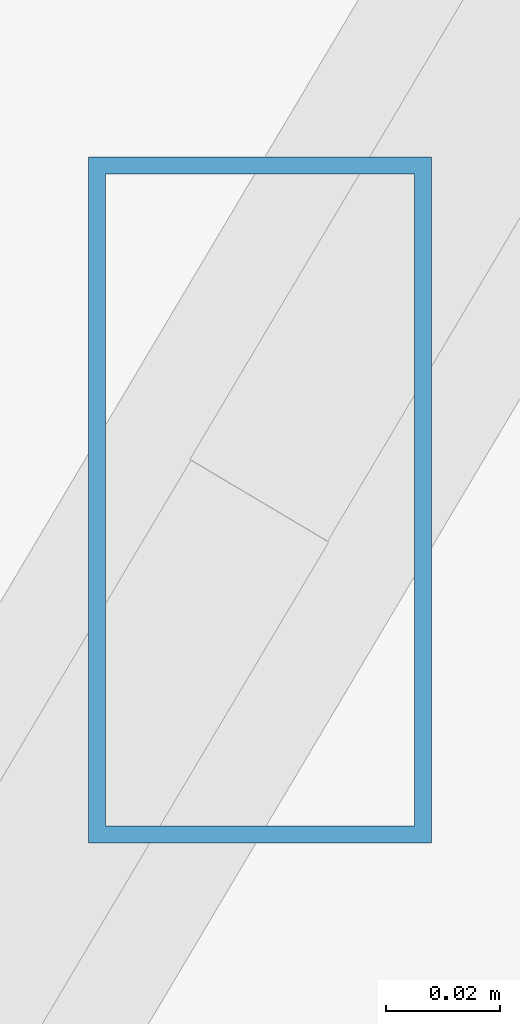
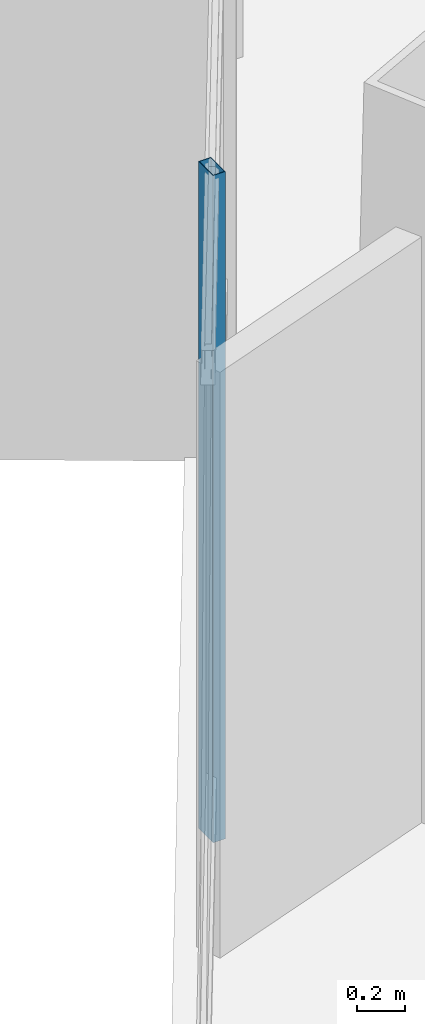
# One storey, part 7 of 45: 1 member, 1 element without a shape of its own.
"""IFC4 building model written with IfcOpenShell, lengths in metres."""

from ifc_helpers import new_model, si_unit, direction, frame, origin, origin_2d, place, context, subcontext, project, spatial, hollow_rectangle, extrude, source, transform, mapped, material, material_profile, profile_set, type_object, type_shapes, element, aggregate, save


model = new_model("IFC4")

# Units and contexts
model_context = context("Model", 3, precision=1e-05, world=origin(), true_north=direction((0.0, 1.0)))
body_context = subcontext(model_context, "Body", "Model", "MODEL_VIEW")
ifc_project = project(units=[si_unit("LENGTHUNIT", "METRE"), si_unit("AREAUNIT", "SQUARE_METRE"), si_unit("VOLUMEUNIT", "CUBIC_METRE"), si_unit("PLANEANGLEUNIT", "RADIAN"), si_unit("MASSUNIT", "GRAM", prefix="KILO")], contexts=[model_context])

# Site, building, storey
site_placement = place(None, origin())
site = spatial("IfcSite", under=ifc_project, at=site_placement, CompositionType="ELEMENT")
building_placement = place(site_placement, origin())
building = spatial("IfcBuilding", under=site, at=building_placement, Name="Caelisora Broadcast Tower", CompositionType="ELEMENT")
storey_placement = place(building_placement, frame((0.0, 0.0, 240.800048828125)))
storey = spatial("IfcBuildingStorey", under=building, at=storey_placement, Name="L63", CompositionType="ELEMENT", Elevation=240.800048828125)

# Curtain wall, member
ifc_material_1 = material(Name="Unitised Aluminium and Low-E Glass Curtain Wall", Category="glass")
curtain_wall_type = type_object("IfcCurtainWallType", Name="CW-Z5", PredefinedType="NOTDEFINED", material=ifc_material_1)
curtain_wall_placement = place(storey_placement, origin())
curtain_wall = element("IfcCurtainWall", 1, at=curtain_wall_placement, inside=storey, type_object=curtain_wall_type, Name="L63 curtain wall CW-Z5", PredefinedType="NOTDEFINED")
ifc_material_2 = material(Name="Aluminium 6063-T6 Anodised Terracotta Bronze", Category="aluminium")
ifc_material_profile = material_profile(ifc_material_2, hollow_rectangle(XDim=0.06005859375, YDim=0.1201171875, WallThickness=0.0029296875, at=origin_2d()), Name="Aluminium 6063-T6 Anodised Terracotta Bronze")
ifc_profile_set = profile_set([ifc_material_profile], Name="Aluminium 6063-T6 Anodised Terracotta Bronze")
member_type = type_object("IfcMemberType", Name="CWM-04", PredefinedType="MULLION", material=ifc_profile_set)
shared_shape = source(origin(), body_context, "Body", "SweptSolid", [
    extrude(hollow_rectangle(XDim=0.06005859375, YDim=0.1201171875, WallThickness=0.0029296875, at=origin_2d()), origin(), (0.0, 0.0, 1.0), 3.39990234375),
])
type_shapes(member_type, [shared_shape])
member_placement = place(storey_placement, frame((15.21044921875, 16.50830078125, 0.0), z_axis=(0.0, 0.0, 1.0), x_axis=(1.0, 0.0, 0.0)))
member = element("IfcMember", 2, at=member_placement, type_object=member_type, Name="L63-CW-B09 mullion #1", PredefinedType="MULLION", context=body_context, shape_type="MappedRepresentation", body=[
    mapped(shared_shape, transform((0.0, 0.0, 0.0), scale=1.0)),
])
aggregate(curtain_wall, [member])

save(model, "model.ifc")
